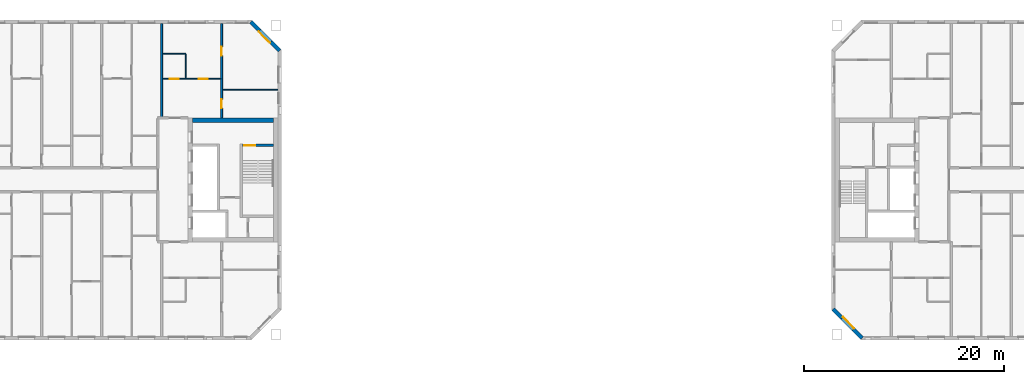
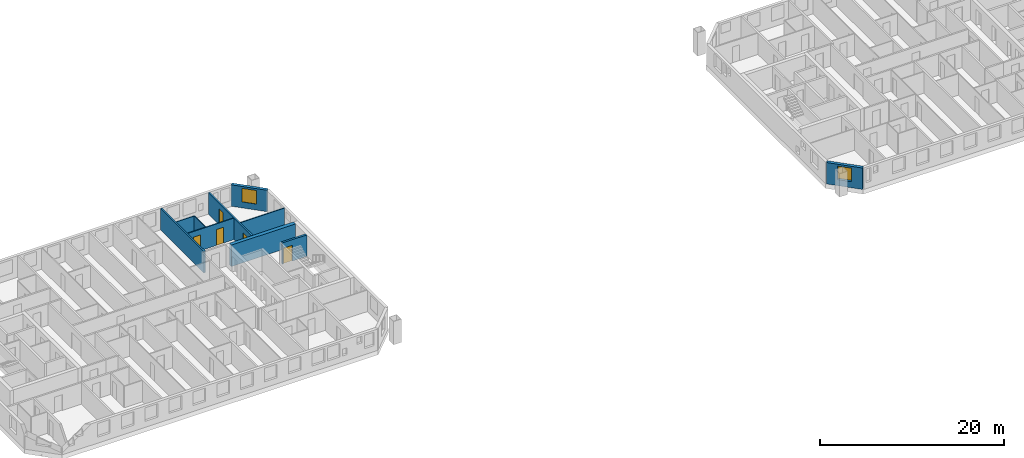
# One storey, part 8 of 16: 10 walls, 5 doors, 2 windows, 7 openings.
"""IFC4 building model written with IfcOpenShell, lengths in metres."""

from ifc_helpers import new_model, si_unit, direction, frame, frame_2d, origin, place, context, subcontext, project, spatial, rectangle, extrude, material, layer, layer_set, type_object, element, fill, save


model = new_model("IFC4")

# Units and contexts
model_context = context("Model", 3, precision=1e-05, world=origin(), true_north=direction((0.0, 1.0)))
body_context = subcontext(model_context, "Body", "Model", "MODEL_VIEW")
ifc_project = project(units=[si_unit("LENGTHUNIT", "METRE"), si_unit("AREAUNIT", "SQUARE_METRE"), si_unit("VOLUMEUNIT", "CUBIC_METRE"), si_unit("PLANEANGLEUNIT", "RADIAN"), si_unit("MASSUNIT", "GRAM", prefix="KILO")], contexts=[model_context])

# Site, building, storey
site_placement = place(None, origin())
site = spatial("IfcSite", under=ifc_project, at=site_placement, CompositionType="ELEMENT")
building_placement = place(site_placement, origin())
building = spatial("IfcBuilding", under=site, at=building_placement, Name="Tuart Gate Housing", CompositionType="ELEMENT")
storey_placement = place(building_placement, frame((0.0, 0.0, 175.800048828125)))
storey = spatial("IfcBuildingStorey", under=building, at=storey_placement, Name="L49", CompositionType="ELEMENT", Elevation=175.800048828125)

# Wall, opening, window
ifc_material_1 = material(Name="Brick", Category="masonry")
ifc_layer_1 = layer(ifc_material_1, 0.360107421875)
ifc_layer_set_1 = layer_set([ifc_layer_1], Name="Brick pier and spandrel wall 360")
wall_type_1 = type_object("IfcWallType", Name="Brick pier and spandrel wall 360", PredefinedType="STANDARD", material=ifc_layer_set_1)
wall_1_placement = place(storey_placement, frame((75.820068359375, 82.92529296875, 0.0), z_axis=(0.0, 0.0, 1.0), x_axis=(-0.707106781187, 0.707106781187, 0.0)))
wall_1 = element("IfcWall", 1, at=wall_1_placement, inside=storey, type_object=wall_type_1, Name="External wall A-NE L49", PredefinedType="STANDARD", context=body_context, shape_type="SweptSolid", body=[
    extrude(rectangle(XDim=4.09375, YDim=0.360107421875, at=frame_2d((2.046875, 0.0))), origin(), (0.0, 0.0, 1.0), 2.849853515625),
])
opening_1_placement = place(wall_1_placement, frame((1.2470703125, 0.0, 0.800048828125)))
opening_1 = element("IfcOpeningElement", 2, at=opening_1_placement, cuts=wall_1, Name="Opening W1", PredefinedType="OPENING", context=body_context, shape_type="SweptSolid", body=[
    extrude(rectangle(XDim=1.60009765625, YDim=1.800048828125, at=frame_2d((0.800048828125, 0.89990234375))), frame((0.0, 0.18994140625, 0.0), z_axis=(0.0, -1.0, 0.0), x_axis=(1.0, 0.0, 0.0)), (0.0, 0.0, 1.0), 0.380126953125),
])
ifc_material_2 = material(Name="Aluminium frame with clear glass", Category="aluminium")
window_type = type_object("IfcWindowType", Name="Punched window 1600 x 1800", PartitioningType="SINGLE_PANEL", PredefinedType="WINDOW", material=ifc_material_2)
window_1_placement = place(opening_1_placement, origin())
window_1 = element("IfcWindow", 3, at=window_1_placement, inside=storey, type_object=window_type, Name="Window W1", OverallHeight=1.800048828125, OverallWidth=1.60009765625, PartitioningType="SINGLE_PANEL", PredefinedType="WINDOW", context=body_context, shape_type="SweptSolid", body=[
    extrude(rectangle(XDim=1.60009765625, YDim=1.800048828125, at=frame_2d((0.800048828125, 0.89990234375))), frame((0.0, 0.150146484375, 0.0), z_axis=(0.0, -1.0, 0.0), x_axis=(1.0, 0.0, 0.0)), (0.0, 0.0, 1.0), 0.06005859375),
])
fill(opening_1, window_1)

wall_2_placement = place(storey_placement, frame((131.179931640625, 57.07470703125, 0.0), z_axis=(0.0, 0.0, 1.0), x_axis=(0.707106781187, -0.707106781187, 0.0)))
wall_2 = element("IfcWall", 4, at=wall_2_placement, inside=storey, type_object=wall_type_1, Name="External wall B-SW L49", PredefinedType="STANDARD", context=body_context, shape_type="SweptSolid", body=[
    extrude(rectangle(XDim=4.09375, YDim=0.360107421875, at=frame_2d((2.046875, 0.0))), origin(), (0.0, 0.0, 1.0), 2.849853515625),
])
opening_2_placement = place(wall_2_placement, frame((1.2470703125, 0.0, 0.800048828125)))
opening_2 = element("IfcOpeningElement", 5, at=opening_2_placement, cuts=wall_2, Name="Opening W1", PredefinedType="OPENING", context=body_context, shape_type="SweptSolid", body=[
    extrude(rectangle(XDim=1.60009765625, YDim=1.800048828125, at=frame_2d((0.800048828125, 0.89990234375))), frame((0.0, 0.18994140625, 0.0), z_axis=(0.0, -1.0, 0.0), x_axis=(1.0, 0.0, 0.0)), (0.0, 0.0, 1.0), 0.380126953125),
])
window_2_placement = place(opening_2_placement, origin())
window_2 = element("IfcWindow", 6, at=window_2_placement, inside=storey, type_object=window_type, Name="Window W1", OverallHeight=1.800048828125, OverallWidth=1.60009765625, PartitioningType="SINGLE_PANEL", PredefinedType="WINDOW", context=body_context, shape_type="SweptSolid", body=[
    extrude(rectangle(XDim=1.60009765625, YDim=1.800048828125, at=frame_2d((0.800048828125, 0.89990234375))), frame((0.0, 0.150146484375, 0.0), z_axis=(0.0, -1.0, 0.0), x_axis=(1.0, 0.0, 0.0)), (0.0, 0.0, 1.0), 0.06005859375),
])
fill(opening_2, window_2)

# Wall, opening, door
ifc_material_3 = material(Name="Concrete C40", Category="concrete")
ifc_layer_2 = layer(ifc_material_3, 0.25)
ifc_layer_set_2 = layer_set([ifc_layer_2], Name="Core wall 250 C40")
wall_type_2 = type_object("IfcWallType", Name="Core wall 250 C40", PredefinedType="SHEAR", material=ifc_layer_set_2)
wall_3_placement = place(storey_placement, frame((72.114990234375, 73.449951171875, 0.0), z_axis=(0.0, 0.0, 1.0), x_axis=(1.0, 0.0, 0.0)))
wall_3 = element("IfcWall", 7, at=wall_3_placement, inside=storey, type_object=wall_type_2, Name="Core wall AG.5", PredefinedType="SHEAR", context=body_context, shape_type="SweptSolid", body=[
    extrude(rectangle(XDim=3.074951171875, YDim=0.25, at=frame_2d((1.53759765625, 0.0))), origin(), (0.0, 0.0, 1.0), 2.849853515625),
])
opening_3_placement = place(wall_3_placement, frame((0.14990234375, 0.0, 0.0)))
opening_3 = element("IfcOpeningElement", 8, at=opening_3_placement, cuts=wall_3, Name="Opening D1754", PredefinedType="OPENING", context=body_context, shape_type="SweptSolid", body=[
    extrude(rectangle(XDim=1.10009765625, YDim=2.10009765625, at=frame_2d((0.550048828125, 1.050048828125))), frame((0.0, 0.135009765625, 0.0), z_axis=(0.0, -1.0, 0.0), x_axis=(1.0, 0.0, 0.0)), (0.0, 0.0, 1.0), 0.27001953125),
])
ifc_material_4 = material(Name="Steel fire door", Category="steel")
door_type_1 = type_object("IfcDoorType", Name="Stair door 1100 x 2100 RH", OperationType="SINGLE_SWING_RIGHT", PredefinedType="DOOR", material=ifc_material_4)
door_1_placement = place(opening_3_placement, frame((1.10009765625, 0.0, 0.0), z_axis=(0.0, 0.0, 1.0), x_axis=(-1.0, 0.0, 0.0)))
door_1 = element("IfcDoor", 9, at=door_1_placement, inside=storey, type_object=door_type_1, Name="Stair door AG.SD", OperationType="SINGLE_SWING_RIGHT", OverallHeight=2.10009765625, OverallWidth=1.10009765625, PredefinedType="DOOR", context=body_context, shape_type="SweptSolid", body=[
    extrude(rectangle(XDim=1.10009765625, YDim=2.10009765625, at=frame_2d((0.550048828125, 1.050048828125))), frame((0.0, 0.025146484375, 0.0), z_axis=(0.0, -1.0, 0.0), x_axis=(1.0, 0.0, 0.0)), (0.0, 0.0, 1.0), 0.050048828125),
])
fill(opening_3, door_1)

# Walls
ifc_material_5 = material(Name="Concrete C40", Category="concrete")
ifc_layer_3 = layer(ifc_material_5, 0.449951171875)
ifc_layer_set_3 = layer_set([ifc_layer_3], Name="Core wall 450 C40")
wall_type_3 = type_object("IfcWallType", Name="Core wall 450 C40", PredefinedType="SHEAR", material=ifc_layer_set_3)
wall_4_placement = place(storey_placement, frame((67.090087890625, 75.97509765625, 0.0), z_axis=(0.0, 0.0, 1.0), x_axis=(1.0, 0.0, 0.0)))
element("IfcWall", 10, at=wall_4_placement, inside=storey, type_object=wall_type_3, Name="Core wall AG north", PredefinedType="SHEAR", context=body_context, shape_type="SweptSolid", body=[
    extrude(rectangle(XDim=8.099853515625, YDim=0.449951171875, at=frame_2d((4.0498046875, 0.0))), origin(), (0.0, 0.0, 1.0), 2.849853515625),
])
ifc_material_6 = material(Name="Gypsum board on steel studs", Category="steel")
ifc_layer_4 = layer(ifc_material_6, 0.10009765625)
ifc_layer_set_4 = layer_set([ifc_layer_4], Name="Partition 100")
wall_type_4 = type_object("IfcWallType", Name="Partition 100", PredefinedType="PARTITIONING", material=ifc_layer_set_4)
wall_5_placement = place(storey_placement, frame((70.10009765625, 79.0, 0.0), z_axis=(0.0, 0.0, 1.0), x_axis=(1.0, 0.0, 0.0)))
element("IfcWall", 11, at=wall_5_placement, inside=storey, type_object=wall_type_4, Name="Partition 100", PredefinedType="PARTITIONING", context=body_context, shape_type="SweptSolid", body=[
    extrude(rectangle(XDim=5.539794921875, YDim=0.10009765625, at=frame_2d((2.77001953125, 0.0))), origin(), (0.0, 0.0, 1.0), 2.849853515625),
])

# Wall, openings, doors
wall_6_placement = place(storey_placement, frame((64.10009765625, 80.10009765625, 0.0), z_axis=(0.0, 0.0, 1.0), x_axis=(1.0, 0.0, 0.0)))
wall_6 = element("IfcWall", 12, at=wall_6_placement, inside=storey, type_object=wall_type_4, Name="Partition 100", PredefinedType="PARTITIONING", context=body_context, shape_type="SweptSolid", body=[
    extrude(rectangle(XDim=5.7998046875, YDim=0.10009765625, at=frame_2d((2.89990234375, 0.0))), origin(), (0.0, 0.0, 1.0), 2.849853515625),
])
opening_4_placement = place(wall_6_placement, frame((3.60009765625, 0.0, 0.0)))
opening_4 = element("IfcOpeningElement", 13, at=opening_4_placement, cuts=wall_6, Name="Opening D1741", PredefinedType="OPENING", context=body_context, shape_type="SweptSolid", body=[
    extrude(rectangle(XDim=0.89990234375, YDim=2.10009765625, at=frame_2d((0.449951171875, 1.050048828125))), frame((0.0, 0.06005859375, 0.0), z_axis=(0.0, -1.0, 0.0), x_axis=(1.0, 0.0, 0.0)), (0.0, 0.0, 1.0), 0.1201171875),
])
opening_5_placement = place(wall_6_placement, frame((0.699951171875, 0.0, 0.0)))
opening_5 = element("IfcOpeningElement", 14, at=opening_5_placement, cuts=wall_6, Name="Opening D1740", PredefinedType="OPENING", context=body_context, shape_type="SweptSolid", body=[
    extrude(rectangle(XDim=0.89990234375, YDim=2.10009765625, at=frame_2d((0.449951171875, 1.050048828125))), frame((0.0, 0.06005859375, 0.0), z_axis=(0.0, -1.0, 0.0), x_axis=(1.0, 0.0, 0.0)), (0.0, 0.0, 1.0), 0.1201171875),
])
ifc_material_7 = material(Name="Timber door leaf in steel frame", Category="steel")
door_type_2 = type_object("IfcDoorType", Name="Bathroom door 900 RH", OperationType="SINGLE_SWING_RIGHT", PredefinedType="DOOR", material=ifc_material_7)
door_2_placement = place(opening_5_placement, origin())
door_2 = element("IfcDoor", 15, at=door_2_placement, inside=storey, type_object=door_type_2, Name="Bathroom door", OperationType="SINGLE_SWING_RIGHT", OverallHeight=2.10009765625, OverallWidth=0.89990234375, PredefinedType="DOOR", context=body_context, shape_type="SweptSolid", body=[
    extrude(rectangle(XDim=0.89990234375, YDim=2.10009765625, at=frame_2d((0.449951171875, 1.050048828125))), frame((0.0, 0.02490234375, 0.0), z_axis=(0.0, -1.0, 0.0), x_axis=(1.0, 0.0, 0.0)), (0.0, 0.0, 1.0), 0.050048828125),
])
fill(opening_5, door_2)
ifc_material_8 = material(Name="Timber door leaf in steel frame", Category="steel")
door_type_3 = type_object("IfcDoorType", Name="Internal door 900", OperationType="SINGLE_SWING_LEFT", PredefinedType="DOOR", material=ifc_material_8)
door_3_placement = place(opening_4_placement, frame((0.89990234375, 0.0, 0.0), z_axis=(0.0, 0.0, 1.0), x_axis=(-1.0, 0.0, 0.0)))
door_3 = element("IfcDoor", 16, at=door_3_placement, inside=storey, type_object=door_type_3, Name="Internal door", OperationType="SINGLE_SWING_LEFT", OverallHeight=2.10009765625, OverallWidth=0.89990234375, PredefinedType="DOOR", context=body_context, shape_type="SweptSolid", body=[
    extrude(rectangle(XDim=0.89990234375, YDim=2.10009765625, at=frame_2d((0.449951171875, 1.050048828125))), frame((0.0, 0.025146484375, 0.0), z_axis=(0.0, -1.0, 0.0), x_axis=(1.0, 0.0, 0.0)), (0.0, 0.0, 1.0), 0.050048828125),
])
fill(opening_4, door_3)

# Walls
wall_7_placement = place(storey_placement, frame((64.10009765625, 82.60009765625, 0.0), z_axis=(0.0, 0.0, 1.0), x_axis=(1.0, 0.0, 0.0)))
element("IfcWall", 17, at=wall_7_placement, inside=storey, type_object=wall_type_4, Name="Partition 100", PredefinedType="PARTITIONING", context=body_context, shape_type="SweptSolid", body=[
    extrude(rectangle(XDim=2.2998046875, YDim=0.10009765625, at=frame_2d((1.14990234375, 0.0))), origin(), (0.0, 0.0, 1.0), 2.849853515625),
])
wall_8_placement = place(storey_placement, frame((66.39990234375, 80.14990234375, 0.0), z_axis=(0.0, 0.0, 1.0), x_axis=(0.0, 1.0, 0.0)))
element("IfcWall", 18, at=wall_8_placement, inside=storey, type_object=wall_type_4, Name="Partition 100", PredefinedType="PARTITIONING", context=body_context, shape_type="SweptSolid", body=[
    extrude(rectangle(XDim=2.400146484375, YDim=0.10009765625, at=frame_2d((1.2001953125, 0.0))), origin(), (0.0, 0.0, 1.0), 2.849853515625),
])
ifc_material_9 = material(Name="Concrete C40", Category="concrete")
ifc_layer_5 = layer(ifc_material_9, 0.199951171875)
ifc_layer_set_5 = layer_set([ifc_layer_5], Name="Party wall concrete C40 200")
wall_type_5 = type_object("IfcWallType", Name="Party wall concrete C40 200", PredefinedType="SOLIDWALL", material=ifc_layer_set_5)
wall_9_placement = place(storey_placement, frame((64.0, 76.199951171875, 0.0), z_axis=(0.0, 0.0, 1.0), x_axis=(0.0, 1.0, 0.0)))
element("IfcWall", 19, at=wall_9_placement, inside=storey, type_object=wall_type_5, Name="Party wall concrete C40 200", PredefinedType="SOLIDWALL", context=body_context, shape_type="SweptSolid", body=[
    extrude(rectangle(XDim=9.43994140625, YDim=0.199951171875, at=frame_2d((4.719970703125, 0.0))), origin(), (0.0, 0.0, 1.0), 2.849853515625),
])

# Wall, openings, doors
wall_10_placement = place(storey_placement, frame((70.0, 76.199951171875, 0.0), z_axis=(0.0, 0.0, 1.0), x_axis=(0.0, 1.0, 0.0)))
wall_10 = element("IfcWall", 20, at=wall_10_placement, inside=storey, type_object=wall_type_5, Name="Party wall concrete C40 200", PredefinedType="SOLIDWALL", context=body_context, shape_type="SweptSolid", body=[
    extrude(rectangle(XDim=9.43994140625, YDim=0.199951171875, at=frame_2d((4.719970703125, 0.0))), origin(), (0.0, 0.0, 1.0), 2.849853515625),
])
opening_6_placement = place(wall_10_placement, frame((6.219970703125, 0.0, 0.0)))
opening_6 = element("IfcOpeningElement", 21, at=opening_6_placement, cuts=wall_10, Name="Opening D1735", PredefinedType="OPENING", context=body_context, shape_type="SweptSolid", body=[
    extrude(rectangle(XDim=0.89990234375, YDim=2.10009765625, at=frame_2d((0.449951171875, 1.050048828125))), frame((0.0, 0.10986328125, 0.0), z_axis=(0.0, -1.0, 0.0), x_axis=(1.0, 0.0, 0.0)), (0.0, 0.0, 1.0), 0.219970703125),
])
opening_7_placement = place(wall_10_placement, frame((0.949951171875, 0.0, 0.0)))
opening_7 = element("IfcOpeningElement", 22, at=opening_7_placement, cuts=wall_10, Name="Opening D1736", PredefinedType="OPENING", context=body_context, shape_type="SweptSolid", body=[
    extrude(rectangle(XDim=0.89990234375, YDim=2.10009765625, at=frame_2d((0.449951171875, 1.050048828125))), frame((0.0, 0.10986328125, 0.0), z_axis=(0.0, -1.0, 0.0), x_axis=(1.0, 0.0, 0.0)), (0.0, 0.0, 1.0), 0.219970703125),
])
door_4_placement = place(opening_6_placement, frame((0.89990234375, 0.0, 0.0), z_axis=(0.0, 0.0, 1.0), x_axis=(-1.0, 0.0, 0.0)))
door_4 = element("IfcDoor", 23, at=door_4_placement, inside=storey, type_object=door_type_3, Name="Internal door", OperationType="SINGLE_SWING_LEFT", OverallHeight=2.10009765625, OverallWidth=0.89990234375, PredefinedType="DOOR", context=body_context, shape_type="SweptSolid", body=[
    extrude(rectangle(XDim=0.89990234375, YDim=2.10009765625, at=frame_2d((0.449951171875, 1.050048828125))), frame((0.0, 0.025146484375, 0.0), z_axis=(0.0, -1.0, 0.0), x_axis=(1.0, 0.0, 0.0)), (0.0, 0.0, 1.0), 0.050048828125),
])
fill(opening_6, door_4)
ifc_material_10 = material(Name="Timber door leaf in steel frame", Category="steel")
door_type_4 = type_object("IfcDoorType", Name="Internal door 900 RH", OperationType="SINGLE_SWING_RIGHT", PredefinedType="DOOR", material=ifc_material_10)
door_5_placement = place(opening_7_placement, frame((0.89990234375, 0.0, 0.0), z_axis=(0.0, 0.0, 1.0), x_axis=(-1.0, 0.0, 0.0)))
door_5 = element("IfcDoor", 24, at=door_5_placement, inside=storey, type_object=door_type_4, Name="Internal door", OperationType="SINGLE_SWING_RIGHT", OverallHeight=2.10009765625, OverallWidth=0.89990234375, PredefinedType="DOOR", context=body_context, shape_type="SweptSolid", body=[
    extrude(rectangle(XDim=0.89990234375, YDim=2.10009765625, at=frame_2d((0.449951171875, 1.050048828125))), frame((0.0, 0.025146484375, 0.0), z_axis=(0.0, -1.0, 0.0), x_axis=(1.0, 0.0, 0.0)), (0.0, 0.0, 1.0), 0.050048828125),
])
fill(opening_7, door_5)

save(model, "model.ifc")
